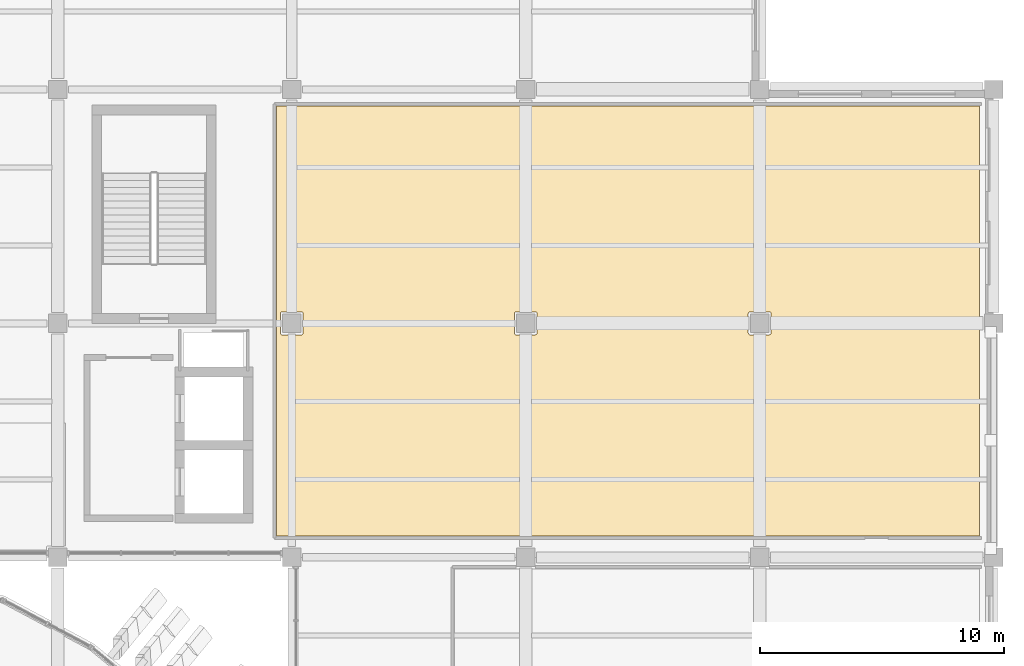
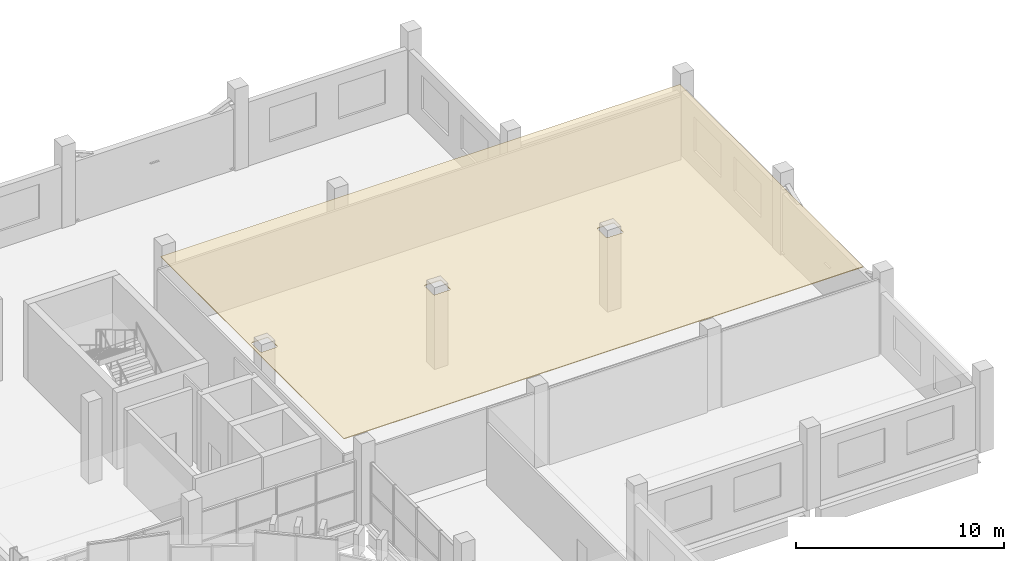
# One storey, part 97 of 100: 1 covering.
"""IFC4 building model written with IfcOpenShell, lengths in metres."""

from ifc_helpers import new_model, si_unit, direction, frame, origin, place, context, subcontext, project, spatial, polyline, outline, extrude, material, layer, layer_set, type_object, element, save


model = new_model("IFC4")

# Units and contexts
model_context = context("Model", 3, precision=1e-05, world=origin(), true_north=direction((0.0, 1.0)))
body_context = subcontext(model_context, "Body", "Model", "MODEL_VIEW")
ifc_project = project(units=[si_unit("LENGTHUNIT", "METRE"), si_unit("AREAUNIT", "SQUARE_METRE"), si_unit("VOLUMEUNIT", "CUBIC_METRE"), si_unit("PLANEANGLEUNIT", "RADIAN"), si_unit("MASSUNIT", "GRAM", prefix="KILO")], contexts=[model_context])

# Site, building, storey
site_placement = place(None, origin())
site = spatial("IfcSite", under=ifc_project, at=site_placement, CompositionType="ELEMENT")
building_placement = place(site_placement, origin())
building = spatial("IfcBuilding", under=site, at=building_placement, Name="Caelomonte Colonnade Arena", CompositionType="ELEMENT")
storey_placement = place(building_placement, origin())
storey = spatial("IfcBuildingStorey", under=building, at=storey_placement, Name="L00", CompositionType="ELEMENT", Elevation=0.0)

# Covering
ifc_material = material(Name="Perforated acoustic mineral-fibre ceiling")
ifc_layer = layer(ifc_material, 0.0400390625)
ifc_layer_set = layer_set([ifc_layer], Name="Perforated acoustic mineral-fibre ceiling")
covering_type = type_object("IfcCoveringType", Name="INT-CV-CEIL1", PredefinedType="CEILING", material=ifc_layer_set)
covering_placement = place(storey_placement, frame((0.0, 0.0, 4.419921875)))
element("IfcCovering", 1, at=covering_placement, inside=storey, type_object=covering_type, Name="L00 Arena Operations Office acoustic ceiling", PredefinedType="CEILING", context=body_context, shape_type="SweptSolid", body=[
    extrude(outline(polyline([(191.419921875, 133.719970703125), (162.580078125, 133.719970703125), (162.580078125, 116.080078125), (191.419921875, 116.080078125), (191.419921875, 133.719970703125)]), holes=[polyline([(181.930419921875, 124.402099609375), (181.929931640625, 124.409912109375), (181.929931640625, 125.18994140625), (181.930419921875, 125.19775390625), (181.931396484375, 125.20556640625), (181.933349609375, 125.213134765625), (181.93603515625, 125.220703125), (181.939453125, 125.227783203125), (181.943603515625, 125.234375), (181.9482421875, 125.24072265625), (181.953369140625, 125.24658203125), (181.959228515625, 125.251708984375), (181.965576171875, 125.256591796875), (181.972412109375, 125.260498046875), (181.9794921875, 125.263916015625), (181.98681640625, 125.2666015625), (181.994384765625, 125.2685546875), (182.002197265625, 125.26953125), (182.010009765625, 125.27001953125), (182.7900390625, 125.27001953125), (182.7978515625, 125.26953125), (182.8056640625, 125.2685546875), (182.813232421875, 125.2666015625), (182.820556640625, 125.263916015625), (182.82763671875, 125.260498046875), (182.83447265625, 125.256591796875), (182.8408203125, 125.251708984375), (182.8466796875, 125.24658203125), (182.851806640625, 125.24072265625), (182.8564453125, 125.234375), (182.860595703125, 125.227783203125), (182.864013671875, 125.220703125), (182.86669921875, 125.213134765625), (182.868408203125, 125.20556640625), (182.86962890625, 125.19775390625), (182.8701171875, 125.18994140625), (182.8701171875, 124.409912109375), (182.86962890625, 124.402099609375), (182.868408203125, 124.394287109375), (182.86669921875, 124.38671875), (182.864013671875, 124.37939453125), (182.860595703125, 124.372314453125), (182.8564453125, 124.365478515625), (182.851806640625, 124.359130859375), (182.8466796875, 124.353515625), (182.8408203125, 124.34814453125), (182.83447265625, 124.343505859375), (182.82763671875, 124.33935546875), (182.820556640625, 124.336181640625), (182.813232421875, 124.33349609375), (182.8056640625, 124.33154296875), (182.7978515625, 124.330322265625), (182.7900390625, 124.330078125), (182.010009765625, 124.330078125), (182.002197265625, 124.330322265625), (181.994384765625, 124.33154296875), (181.98681640625, 124.33349609375), (181.9794921875, 124.336181640625), (181.972412109375, 124.33935546875), (181.965576171875, 124.343505859375), (181.959228515625, 124.34814453125), (181.953369140625, 124.353515625), (181.9482421875, 124.359130859375), (181.943603515625, 124.365478515625), (181.939453125, 124.372314453125), (181.93603515625, 124.37939453125), (181.933349609375, 124.38671875), (181.931396484375, 124.394287109375), (181.930419921875, 124.402099609375)]), polyline([(172.330322265625, 124.402099609375), (172.330078125, 124.409912109375), (172.330078125, 125.18994140625), (172.330322265625, 125.19775390625), (172.33154296875, 125.20556640625), (172.33349609375, 125.213134765625), (172.336181640625, 125.220703125), (172.33935546875, 125.227783203125), (172.343505859375, 125.234375), (172.34814453125, 125.24072265625), (172.353515625, 125.24658203125), (172.359130859375, 125.251708984375), (172.365478515625, 125.256591796875), (172.372314453125, 125.260498046875), (172.37939453125, 125.263916015625), (172.38671875, 125.2666015625), (172.394287109375, 125.2685546875), (172.402099609375, 125.26953125), (172.409912109375, 125.27001953125), (173.18994140625, 125.27001953125), (173.19775390625, 125.26953125), (173.20556640625, 125.2685546875), (173.213134765625, 125.2666015625), (173.220703125, 125.263916015625), (173.227783203125, 125.260498046875), (173.234375, 125.256591796875), (173.24072265625, 125.251708984375), (173.24658203125, 125.24658203125), (173.251708984375, 125.24072265625), (173.256591796875, 125.234375), (173.260498046875, 125.227783203125), (173.263916015625, 125.220703125), (173.2666015625, 125.213134765625), (173.2685546875, 125.20556640625), (173.26953125, 125.19775390625), (173.27001953125, 125.18994140625), (173.27001953125, 124.409912109375), (173.26953125, 124.402099609375), (173.2685546875, 124.394287109375), (173.2666015625, 124.38671875), (173.263916015625, 124.37939453125), (173.260498046875, 124.372314453125), (173.256591796875, 124.365478515625), (173.251708984375, 124.359130859375), (173.24658203125, 124.353515625), (173.24072265625, 124.34814453125), (173.234375, 124.343505859375), (173.227783203125, 124.33935546875), (173.220703125, 124.336181640625), (173.213134765625, 124.33349609375), (173.20556640625, 124.33154296875), (173.19775390625, 124.330322265625), (173.18994140625, 124.330078125), (172.409912109375, 124.330078125), (172.402099609375, 124.330322265625), (172.394287109375, 124.33154296875), (172.38671875, 124.33349609375), (172.37939453125, 124.336181640625), (172.372314453125, 124.33935546875), (172.365478515625, 124.343505859375), (172.359130859375, 124.34814453125), (172.353515625, 124.353515625), (172.34814453125, 124.359130859375), (172.343505859375, 124.365478515625), (172.33935546875, 124.372314453125), (172.336181640625, 124.37939453125), (172.33349609375, 124.38671875), (172.33154296875, 124.394287109375), (172.330322265625, 124.402099609375)]), polyline([(162.73046875, 124.402099609375), (162.72998046875, 124.409912109375), (162.72998046875, 125.18994140625), (162.73046875, 125.19775390625), (162.7314453125, 125.20556640625), (162.7333984375, 125.213134765625), (162.736083984375, 125.220703125), (162.739501953125, 125.227783203125), (162.743408203125, 125.234375), (162.748291015625, 125.24072265625), (162.75341796875, 125.24658203125), (162.75927734375, 125.251708984375), (162.765625, 125.256591796875), (162.772216796875, 125.260498046875), (162.779296875, 125.263916015625), (162.786865234375, 125.2666015625), (162.79443359375, 125.2685546875), (162.80224609375, 125.26953125), (162.81005859375, 125.27001953125), (163.590087890625, 125.27001953125), (163.597900390625, 125.26953125), (163.605712890625, 125.2685546875), (163.61328125, 125.2666015625), (163.62060546875, 125.263916015625), (163.627685546875, 125.260498046875), (163.634521484375, 125.256591796875), (163.640869140625, 125.251708984375), (163.646484375, 125.24658203125), (163.65185546875, 125.24072265625), (163.656494140625, 125.234375), (163.66064453125, 125.227783203125), (163.663818359375, 125.220703125), (163.66650390625, 125.213134765625), (163.66845703125, 125.20556640625), (163.669677734375, 125.19775390625), (163.669921875, 125.18994140625), (163.669921875, 124.409912109375), (163.669677734375, 124.402099609375), (163.66845703125, 124.394287109375), (163.66650390625, 124.38671875), (163.663818359375, 124.37939453125), (163.66064453125, 124.372314453125), (163.656494140625, 124.365478515625), (163.65185546875, 124.359130859375), (163.646484375, 124.353515625), (163.640869140625, 124.34814453125), (163.634521484375, 124.343505859375), (163.627685546875, 124.33935546875), (163.62060546875, 124.336181640625), (163.61328125, 124.33349609375), (163.605712890625, 124.33154296875), (163.597900390625, 124.330322265625), (163.590087890625, 124.330078125), (162.81005859375, 124.330078125), (162.80224609375, 124.330322265625), (162.79443359375, 124.33154296875), (162.786865234375, 124.33349609375), (162.779296875, 124.336181640625), (162.772216796875, 124.33935546875), (162.765625, 124.343505859375), (162.75927734375, 124.34814453125), (162.75341796875, 124.353515625), (162.748291015625, 124.359130859375), (162.743408203125, 124.365478515625), (162.739501953125, 124.372314453125), (162.736083984375, 124.37939453125), (162.7333984375, 124.38671875), (162.7314453125, 124.394287109375), (162.73046875, 124.402099609375)])]), origin(), (0.0, 0.0, 1.0), 0.0400390625),
])

save(model, "model.ifc")
